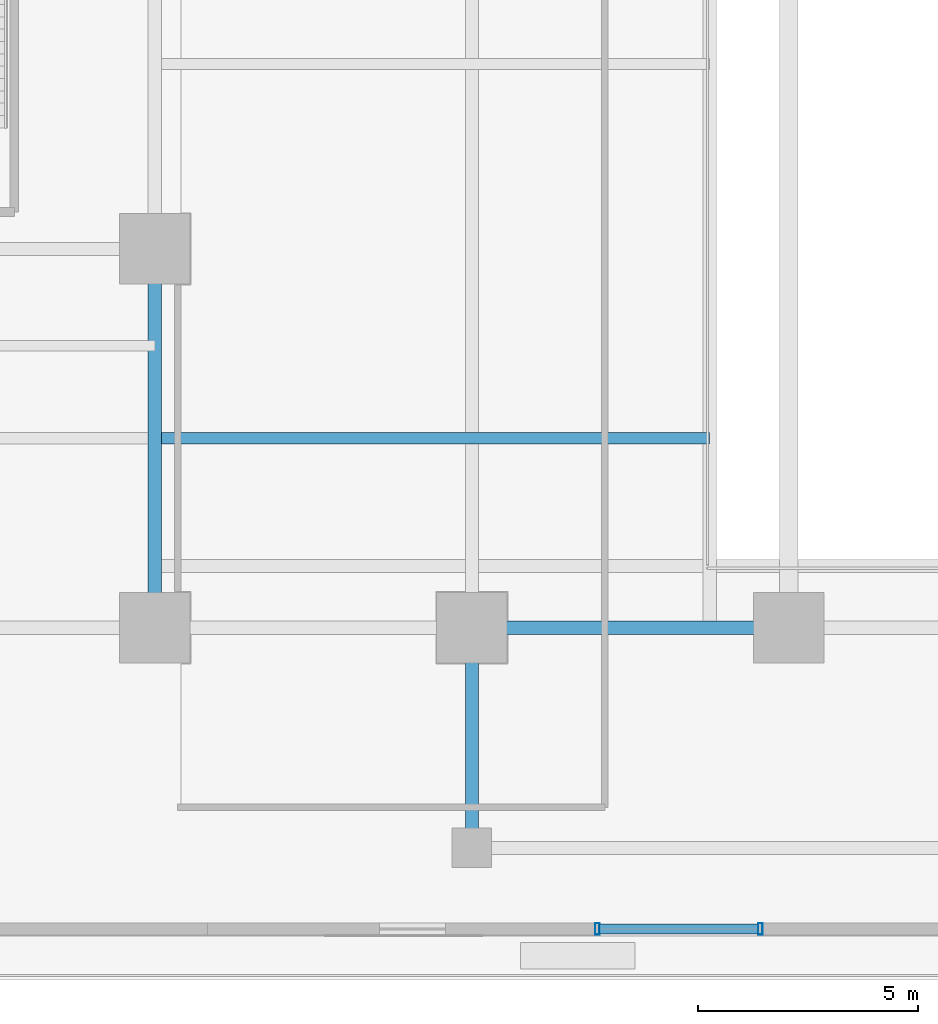
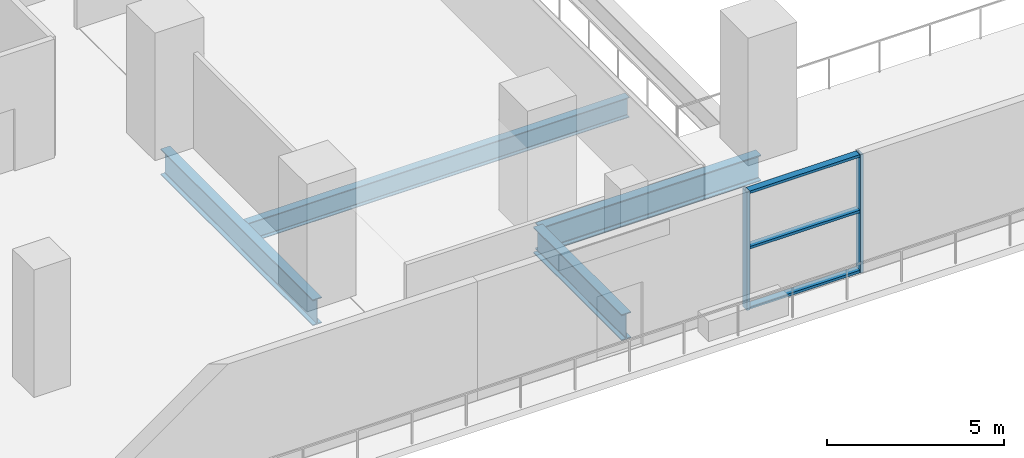
# One storey, part 2 of 21: 5 members, 4 beams, 1 element without a shape of its own.
"""IFC4 building model written with IfcOpenShell, lengths in metres."""

from ifc_helpers import new_model, si_unit, direction, frame, origin, origin_2d, place, context, subcontext, project, spatial, hollow_rectangle, i_section, extrude, source, transform, mapped, material, layer, layer_set, material_profile, profile_set, type_object, element, aggregate, save


model = new_model("IFC4")

# Units and contexts
model_context = context("Model", 3, precision=1e-05, world=origin(), true_north=direction((0.0, 1.0)))
body_context = subcontext(model_context, "Body", "Model", "MODEL_VIEW")
ifc_project = project(units=[si_unit("LENGTHUNIT", "METRE"), si_unit("AREAUNIT", "SQUARE_METRE"), si_unit("VOLUMEUNIT", "CUBIC_METRE"), si_unit("PLANEANGLEUNIT", "RADIAN"), si_unit("MASSUNIT", "GRAM", prefix="KILO")], contexts=[model_context])

# Site, building, storey
site_placement = place(None, origin())
site = spatial("IfcSite", under=ifc_project, at=site_placement, CompositionType="ELEMENT")
building_placement = place(site_placement, origin())
building = spatial("IfcBuilding", under=site, at=building_placement, Name="Zarnakvel Exchange Tower", CompositionType="ELEMENT")
storey_placement = place(building_placement, frame((0.0, 0.0, 5.0)))
storey = spatial("IfcBuildingStorey", under=building, at=storey_placement, Name="L01", CompositionType="ELEMENT", Elevation=5.0)

# Beams
ifc_material_1 = material(Name="Steel S355", Category="steel")
ifc_material_profile_1 = material_profile(ifc_material_1, i_section(OverallWidth=0.255859375, OverallDepth=0.69287109375, WebThickness=0.014404296875, FlangeThickness=0.023681640625, FilletRadius=0.01513671875, at=origin_2d()))
ifc_profile_set_1 = profile_set([ifc_material_profile_1], Name="Steel S355")
beam_type_1 = type_object("IfcBeamType", Name="B-01", PredefinedType="JOIST", material=ifc_profile_set_1)
beam_1_placement = place(storey_placement, frame((-21.449951171875, -13.89990234375, -0.646484375), z_axis=(1.0, 0.0, 0.0), x_axis=(0.0, 1.0, 0.0)))
element("IfcBeam", 1, at=beam_1_placement, inside=storey, type_object=beam_type_1, Name="L01 Exchange Hall Atrium Trimmer West", PredefinedType="JOIST", context=body_context, shape_type="SweptSolid", body=[
    extrude(i_section(OverallWidth=0.255859375, OverallDepth=0.69287109375, WebThickness=0.014404296875, FlangeThickness=0.023681640625, FilletRadius=0.01513671875, at=origin_2d()), origin(), (0.0, 0.0, 1.0), 12.449951171875),
])
ifc_material_profile_2 = material_profile(ifc_material_1, i_section(OverallWidth=0.300048828125, OverallDepth=0.89990234375, WebThickness=0.0185546875, FlangeThickness=0.034912109375, FilletRadius=0.030029296875, at=origin_2d()))
ifc_profile_set_2 = profile_set([ifc_material_profile_2], Name="Steel S355")
beam_type_2 = type_object("IfcBeamType", Name="G-01", PredefinedType="BEAM", material=ifc_profile_set_2)
beam_2_placement = place(storey_placement, frame((-14.39990234375, -18.199951171875, -0.75), z_axis=(1.0, 0.0, 0.0), x_axis=(0.0, 1.0, 0.0)))
element("IfcBeam", 2, at=beam_2_placement, inside=storey, type_object=beam_type_2, Name="L01 Primary E-W Girder Y=-18.2", PredefinedType="BEAM", context=body_context, shape_type="SweptSolid", body=[
    extrude(i_section(OverallWidth=0.300048828125, OverallDepth=0.89990234375, WebThickness=0.0185546875, FlangeThickness=0.034912109375, FilletRadius=0.030029296875, at=origin_2d()), origin(), (0.0, 0.0, 1.0), 7.199951171875),
])
beam_3_placement = place(storey_placement, frame((-21.60009765625, -18.199951171875, -0.75), z_axis=(0.0, 1.0, 0.0), x_axis=(-1.0, 0.0, 0.0)))
element("IfcBeam", 3, at=beam_3_placement, inside=storey, type_object=beam_type_2, Name="L01 Primary N-S Girder X=-21.6", PredefinedType="BEAM", context=body_context, shape_type="SweptSolid", body=[
    extrude(i_section(OverallWidth=0.300048828125, OverallDepth=0.89990234375, WebThickness=0.0185546875, FlangeThickness=0.034912109375, FilletRadius=0.030029296875, at=origin_2d()), origin(), (0.0, 0.0, 1.0), 8.599853515625),
])
beam_4_placement = place(storey_placement, frame((-14.39990234375, -23.199951171875, -0.75), z_axis=(0.0, 1.0, 0.0), x_axis=(-1.0, 0.0, 0.0)))
element("IfcBeam", 4, at=beam_4_placement, inside=storey, type_object=beam_type_2, Name="L01 Primary N-S Girder X=-14.4", PredefinedType="BEAM", context=body_context, shape_type="SweptSolid", body=[
    extrude(i_section(OverallWidth=0.300048828125, OverallDepth=0.89990234375, WebThickness=0.0185546875, FlangeThickness=0.034912109375, FilletRadius=0.030029296875, at=origin_2d()), origin(), (0.0, 0.0, 1.0), 5.0),
])

# Curtain wall, members
ifc_material_2 = material(Name="Architectural Bronze Anodised Aluminium", Category="aluminium")
ifc_layer = layer(ifc_material_2, 0.260009765625)
ifc_layer_set = layer_set([ifc_layer], Name="Architectural Bronze Anodised Aluminium")
curtain_wall_type = type_object("IfcCurtainWallType", Name="CW-01", PredefinedType="NOTDEFINED", material=ifc_layer_set)
curtain_wall_placement = place(storey_placement, origin())
curtain_wall = element("IfcCurtainWall", 5, at=curtain_wall_placement, inside=storey, type_object=curtain_wall_type, Name="L01 Curtain Wall CW-L01-S1 (CW-01)", PredefinedType="NOTDEFINED")
ifc_material_profile_3 = material_profile(ifc_material_2, hollow_rectangle(XDim=0.260009765625, YDim=0.10009765625, WallThickness=0.006103515625, at=origin_2d()))
ifc_profile_set_3 = profile_set([ifc_material_profile_3], Name="Architectural Bronze Anodised Aluminium")
member_type_1 = type_object("IfcMemberType", Name="CWM-01", PredefinedType="MULLION", material=ifc_profile_set_3)
shared_shape_1 = source(origin(), body_context, "Body", "SweptSolid", [
    extrude(hollow_rectangle(XDim=0.260009765625, YDim=0.10009765625, WallThickness=0.006103515625, at=origin_2d()), origin(), (0.0, 0.0, 1.0), 4.080078125),
])
member_1_placement = place(storey_placement, frame((-11.550048828125, -25.0400390625, 0.0), z_axis=(0.0, 0.0, 1.0), x_axis=(0.0, 1.0, 0.0)))
member_1 = element("IfcMember", 6, at=member_1_placement, type_object=member_type_1, Name="CW-01 mullion 1", PredefinedType="MULLION", context=body_context, shape_type="MappedRepresentation", body=[
    mapped(shared_shape_1, transform((0.0, 0.0, 0.0), x_axis=(1.0, 0.0, 0.0), y_axis=(0.0, 1.0, 0.0), z_axis=(0.0, 0.0, 1.0), scale=1.0)),
])
member_2_placement = place(storey_placement, frame((-7.85009765625, -25.0400390625, 0.0), z_axis=(0.0, 0.0, 1.0), x_axis=(0.0, 1.0, 0.0)))
member_2 = element("IfcMember", 7, at=member_2_placement, type_object=member_type_1, Name="CW-01 mullion 2", PredefinedType="MULLION", context=body_context, shape_type="MappedRepresentation", body=[
    mapped(shared_shape_1, transform((0.0, 0.0, 0.0), x_axis=(1.0, 0.0, 0.0), y_axis=(0.0, 1.0, 0.0), z_axis=(0.0, 0.0, 1.0), scale=1.0)),
])
ifc_material_profile_4 = material_profile(ifc_material_2, hollow_rectangle(XDim=0.219970703125, YDim=0.090087890625, WallThickness=0.0048828125, at=origin_2d()))
ifc_profile_set_4 = profile_set([ifc_material_profile_4], Name="Architectural Bronze Anodised Aluminium")
member_type_2 = type_object("IfcMemberType", Name="CWT-01", PredefinedType="USERDEFINED", material=ifc_profile_set_4)
shared_shape_2 = source(origin(), body_context, "Body", "SweptSolid", [
    extrude(hollow_rectangle(XDim=0.219970703125, YDim=0.090087890625, WallThickness=0.0048828125, at=origin_2d()), origin(), (0.0, 0.0, 1.0), 3.60009765625),
])
member_3_placement = place(storey_placement, frame((-11.5, -25.0400390625, 0.044921875), z_axis=(1.0, 0.0, 0.0), x_axis=(0.0, 1.0, 0.0)))
member_3 = element("IfcMember", 8, at=member_3_placement, type_object=member_type_2, Name="CW-01 transom 1.1", ObjectType="TRANSOM", PredefinedType="USERDEFINED", context=body_context, shape_type="MappedRepresentation", body=[
    mapped(shared_shape_2, transform((0.0, 0.0, 0.0), x_axis=(1.0, 0.0, 0.0), y_axis=(0.0, 1.0, 0.0), z_axis=(0.0, 0.0, 1.0), scale=1.0)),
])
member_4_placement = place(storey_placement, frame((-11.5, -25.0400390625, 2.12158203125), z_axis=(1.0, 0.0, 0.0), x_axis=(0.0, 1.0, 0.0)))
member_4 = element("IfcMember", 9, at=member_4_placement, type_object=member_type_2, Name="CW-01 transom 1.2", ObjectType="TRANSOM", PredefinedType="USERDEFINED", context=body_context, shape_type="MappedRepresentation", body=[
    mapped(shared_shape_2, transform((0.0, 0.0, 0.0), x_axis=(1.0, 0.0, 0.0), y_axis=(0.0, 1.0, 0.0), z_axis=(0.0, 0.0, 1.0), scale=1.0)),
])
member_5_placement = place(storey_placement, frame((-11.5, -25.0400390625, 4.034912109375), z_axis=(1.0, 0.0, 0.0), x_axis=(0.0, 1.0, 0.0)))
member_5 = element("IfcMember", 10, at=member_5_placement, type_object=member_type_2, Name="CW-01 transom 1.3", ObjectType="TRANSOM", PredefinedType="USERDEFINED", context=body_context, shape_type="MappedRepresentation", body=[
    mapped(shared_shape_2, transform((0.0, 0.0, 0.0), x_axis=(1.0, 0.0, 0.0), y_axis=(0.0, 1.0, 0.0), z_axis=(0.0, 0.0, 1.0), scale=1.0)),
])
aggregate(curtain_wall, [member_1, member_2, member_3, member_4, member_5])

save(model, "model.ifc")
